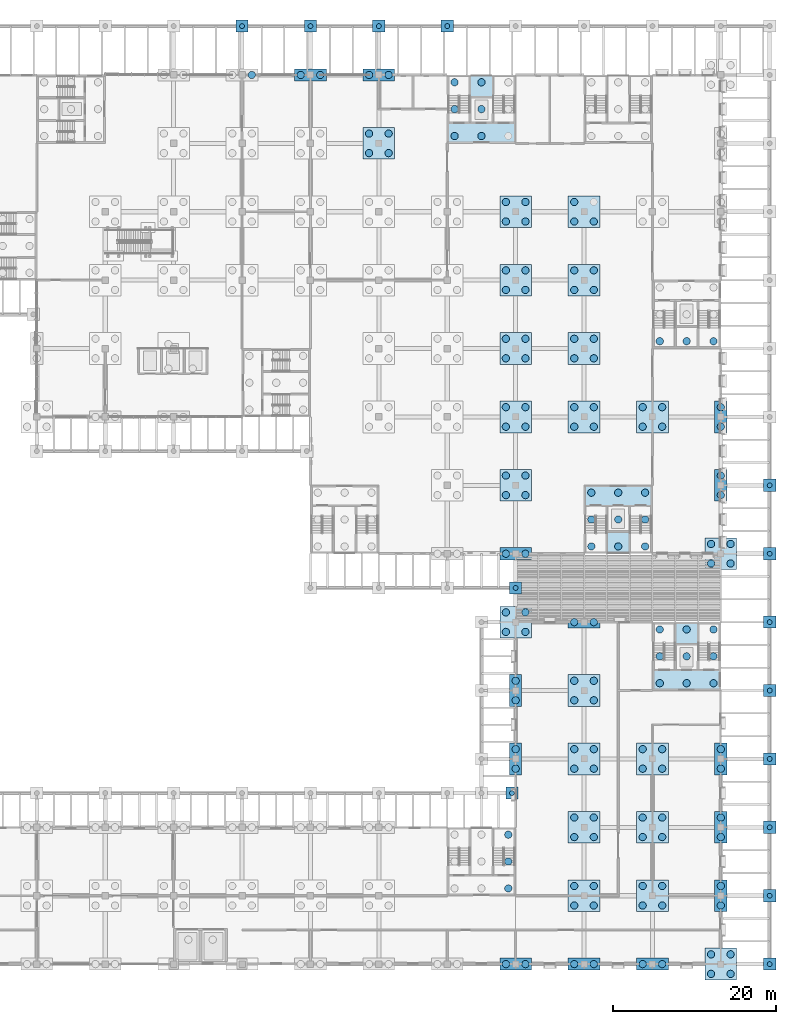
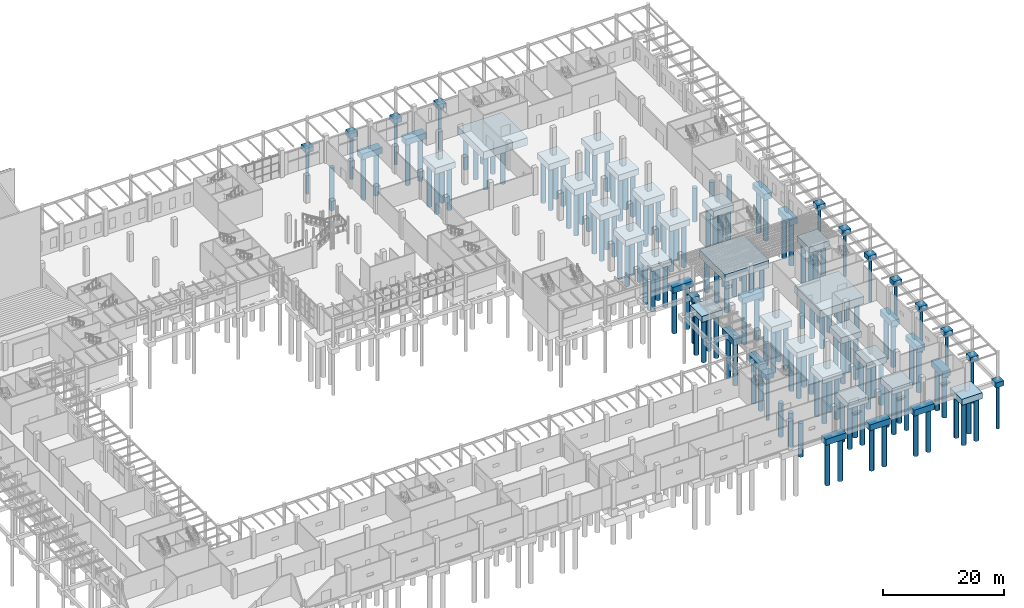
# One storey, part 4 of 82: 156 piles, 52 footings.
"""IFC4 building model written with IfcOpenShell, lengths in metres."""

from ifc_helpers import new_model, si_unit, direction, frame, origin, origin_2d, place, context, subcontext, project, spatial, rectangle, circle, extrude, material, material_profile, profile_set, type_object, element, save


model = new_model("IFC4")

# Units and contexts
model_context = context("Model", 3, precision=1e-05, world=origin(), true_north=direction((0.0, 1.0)))
body_context = subcontext(model_context, "Body", "Model", "MODEL_VIEW")
ifc_project = project(units=[si_unit("LENGTHUNIT", "METRE"), si_unit("AREAUNIT", "SQUARE_METRE"), si_unit("VOLUMEUNIT", "CUBIC_METRE"), si_unit("PLANEANGLEUNIT", "RADIAN"), si_unit("MASSUNIT", "GRAM", prefix="KILO")], contexts=[model_context])

# Site, building, storey
site_placement = place(None, origin())
site = spatial("IfcSite", under=ifc_project, at=site_placement, CompositionType="ELEMENT")
building_placement = place(site_placement, origin())
building = spatial("IfcBuilding", under=site, at=building_placement, Name="Almond Square Museum", CompositionType="ELEMENT")
storey_placement = place(building_placement, origin())
storey = spatial("IfcBuildingStorey", under=building, at=storey_placement, Name="L00", CompositionType="ELEMENT", Elevation=0.0)

# Piles
ifc_material_1 = material(Name="Concrete C35/45", Category="concrete")
ifc_material_profile_1 = material_profile(ifc_material_1, circle(Radius=0.300048828125, at=origin_2d()))
ifc_profile_set_1 = profile_set([ifc_material_profile_1], Name="Concrete C35/45")
pile_type_1 = type_object("IfcPileType", Name="Bored pile D600 C35/45", PredefinedType="BORED", material=ifc_profile_set_1)
for number, where, z_axis, x_axis, name in (
    (1, (163.199951171875, 0.0, -1.199951171875), (0.0, 0.0, -1.0), (1.0, 0.0, 0.0), "Bored pile 018-1"),
    (2, (163.199951171875, 8.39990234375, -1.199951171875), (0.0, 0.0, -1.0), (1.0, 0.0, 0.0), "Bored pile 034-1"),
    (3, (163.199951171875, 16.800048828125, -1.199951171875), (0.0, 0.0, -1.0), (1.0, 0.0, 0.0), "Bored pile 051-1"),
    (4, (131.550048828125, 21.0, -1.199951171875), (0.0, 0.0, -1.0), (1.0, 0.0, 0.0), "Bored pile 068-1"),
    (5, (163.199951171875, 25.199951171875, -1.199951171875), (0.0, 0.0, -1.0), (1.0, 0.0, 0.0), "Bored pile 077-1"),
    (6, (163.199951171875, 33.60009765625, -1.199951171875), (0.0, 0.0, -1.0), (1.0, 0.0, 0.0), "Bored pile 086-1"),
    (7, (163.199951171875, 42.0, -1.199951171875), (0.0, 0.0, -1.0), (1.0, 0.0, 0.0), "Bored pile 096-1"),
    (8, (132.0, 46.199951171875, -1.199951171875), (0.0, 0.0, -1.0), (1.0, 0.0, 0.0), "Bored pile 100-1"),
    (9, (163.199951171875, 50.39990234375, -1.199951171875), (0.0, 0.0, -1.0), (1.0, 0.0, 0.0), "Bored pile 109-1"),
    (10, (163.199951171875, 58.800048828125, -1.199951171875), (0.0, 0.0, -1.0), (1.0, 0.0, 0.0), "Bored pile 120-1"),
    (11, (98.39990234375, 115.199951171875, -1.199951171875), (0.0, 0.0, -1.0), (1.0, 0.0, 0.0), "Bored pile 231-1"),
    (12, (106.800048828125, 115.199951171875, -1.199951171875), (0.0, 0.0, -1.0), (1.0, 0.0, 0.0), "Bored pile 232-1"),
    (13, (115.199951171875, 115.199951171875, -1.199951171875), (0.0, 0.0, -1.0), (1.0, 0.0, 0.0), "Bored pile 233-1"),
    (14, (123.60009765625, 115.199951171875, -1.199951171875), (0.0, 0.0, -1.0), (1.0, 0.0, 0.0), "Bored pile 234-1"),
):
    element("IfcPile", number, at=place(storey_placement, frame(where, z_axis=z_axis, x_axis=x_axis)), inside=storey, type_object=pile_type_1, Name=name, PredefinedType="BORED", context=body_context, shape_type="SweptSolid", body=[
        extrude(circle(Radius=0.300048828125, at=origin_2d()), origin(), (0.0, 0.0, 1.0), 8.800048828125),
    ])
ifc_material_2 = material(Name="Concrete C35/45", Category="concrete")
ifc_material_profile_2 = material_profile(ifc_material_2, circle(Radius=0.449951171875, at=origin_2d()))
ifc_profile_set_2 = profile_set([ifc_material_profile_2], Name="Concrete C35/45")
pile_type_2 = type_object("IfcPileType", Name="Bored pile D900 C35/45", PredefinedType="BORED", material=ifc_profile_set_2)
for number, where, z_axis, x_axis, name in (
    (15, (156.0, -1.199951171875, -1.39990234375), (0.0, 0.0, -1.0), (1.0, 0.0, 0.0), "Bored pile 001-1"),
    (16, (156.0, 1.199951171875, -1.39990234375), (0.0, 0.0, -1.0), (1.0, 0.0, 0.0), "Bored pile 001-2"),
    (17, (158.39990234375, -1.199951171875, -1.39990234375), (0.0, 0.0, -1.0), (1.0, 0.0, 0.0), "Bored pile 001-3"),
    (18, (158.39990234375, 1.199951171875, -1.39990234375), (0.0, 0.0, -1.0), (1.0, 0.0, 0.0), "Bored pile 001-4"),
    (19, (130.800048828125, 0.0, -1.39990234375), (0.0, 0.0, -1.0), (1.0, 0.0, 0.0), "Bored pile 015-1"),
    (20, (133.199951171875, 0.0, -1.39990234375), (0.0, 0.0, -1.0), (1.0, 0.0, 0.0), "Bored pile 015-2"),
    (21, (139.199951171875, 0.0, -1.39990234375), (0.0, 0.0, -1.0), (1.0, 0.0, 0.0), "Bored pile 016-1"),
    (22, (141.60009765625, 0.0, -1.39990234375), (0.0, 0.0, -1.0), (1.0, 0.0, 0.0), "Bored pile 016-2"),
    (23, (147.60009765625, 0.0, -1.39990234375), (0.0, 0.0, -1.0), (1.0, 0.0, 0.0), "Bored pile 017-1"),
    (24, (150.0, 0.0, -1.39990234375), (0.0, 0.0, -1.0), (1.0, 0.0, 0.0), "Bored pile 017-2"),
    (25, (139.199951171875, 7.199951171875, -1.39990234375), (0.0, 0.0, -1.0), (1.0, 0.0, 0.0), "Bored pile 030-1"),
    (26, (139.199951171875, 9.60009765625, -1.39990234375), (0.0, 0.0, -1.0), (1.0, 0.0, 0.0), "Bored pile 030-2"),
    (27, (141.60009765625, 7.199951171875, -1.39990234375), (0.0, 0.0, -1.0), (1.0, 0.0, 0.0), "Bored pile 030-3"),
    (28, (141.60009765625, 9.60009765625, -1.39990234375), (0.0, 0.0, -1.0), (1.0, 0.0, 0.0), "Bored pile 030-4"),
    (29, (147.60009765625, 7.199951171875, -1.39990234375), (0.0, 0.0, -1.0), (1.0, 0.0, 0.0), "Bored pile 031-1"),
    (30, (147.60009765625, 9.60009765625, -1.39990234375), (0.0, 0.0, -1.0), (1.0, 0.0, 0.0), "Bored pile 031-2"),
    (31, (150.0, 7.199951171875, -1.39990234375), (0.0, 0.0, -1.0), (1.0, 0.0, 0.0), "Bored pile 031-3"),
    (32, (150.0, 9.60009765625, -1.39990234375), (0.0, 0.0, -1.0), (1.0, 0.0, 0.0), "Bored pile 031-4"),
    (33, (157.199951171875, 7.199951171875, -1.39990234375), (0.0, 0.0, -1.0), (1.0, 0.0, 0.0), "Bored pile 032-1"),
    (34, (157.199951171875, 9.60009765625, -1.39990234375), (0.0, 0.0, -1.0), (1.0, 0.0, 0.0), "Bored pile 032-2"),
):
    element("IfcPile", number, at=place(storey_placement, frame(where, z_axis=z_axis, x_axis=x_axis)), inside=storey, type_object=pile_type_2, Name=name, PredefinedType="BORED", context=body_context, shape_type="SweptSolid", body=[
        extrude(circle(Radius=0.449951171875, at=origin_2d()), origin(), (0.0, 0.0, 1.0), 8.60009765625),
    ])
for number, where, z_axis, x_axis, name in (
    (35, (131.10009765625, 9.300048828125, -3.199951171875), (0.0, 0.0, -1.0), (1.0, 0.0, 0.0), "Bored pile 036-7"),
    (36, (131.10009765625, 12.60009765625, -3.199951171875), (0.0, 0.0, -1.0), (1.0, 0.0, 0.0), "Bored pile 036-8"),
    (37, (131.10009765625, 15.89990234375, -3.199951171875), (0.0, 0.0, -1.0), (1.0, 0.0, 0.0), "Bored pile 036-9"),
):
    element("IfcPile", number, at=place(storey_placement, frame(where, z_axis=z_axis, x_axis=x_axis)), inside=storey, type_object=pile_type_2, Name=name, PredefinedType="BORED", context=body_context, shape_type="SweptSolid", body=[
        extrude(circle(Radius=0.449951171875, at=origin_2d()), origin(), (0.0, 0.0, 1.0), 6.800048828125),
    ])
for number, where, z_axis, x_axis, name in (
    (38, (139.199951171875, 15.60009765625, -1.39990234375), (0.0, 0.0, -1.0), (1.0, 0.0, 0.0), "Bored pile 038-1"),
    (39, (139.199951171875, 18.0, -1.39990234375), (0.0, 0.0, -1.0), (1.0, 0.0, 0.0), "Bored pile 038-2"),
    (40, (141.60009765625, 15.60009765625, -1.39990234375), (0.0, 0.0, -1.0), (1.0, 0.0, 0.0), "Bored pile 038-3"),
    (41, (141.60009765625, 18.0, -1.39990234375), (0.0, 0.0, -1.0), (1.0, 0.0, 0.0), "Bored pile 038-4"),
    (42, (147.60009765625, 15.60009765625, -1.39990234375), (0.0, 0.0, -1.0), (1.0, 0.0, 0.0), "Bored pile 039-1"),
    (43, (147.60009765625, 18.0, -1.39990234375), (0.0, 0.0, -1.0), (1.0, 0.0, 0.0), "Bored pile 039-2"),
    (44, (150.0, 15.60009765625, -1.39990234375), (0.0, 0.0, -1.0), (1.0, 0.0, 0.0), "Bored pile 039-3"),
    (45, (150.0, 18.0, -1.39990234375), (0.0, 0.0, -1.0), (1.0, 0.0, 0.0), "Bored pile 039-4"),
    (46, (157.199951171875, 15.60009765625, -1.39990234375), (0.0, 0.0, -1.0), (1.0, 0.0, 0.0), "Bored pile 040-1"),
    (47, (157.199951171875, 18.0, -1.39990234375), (0.0, 0.0, -1.0), (1.0, 0.0, 0.0), "Bored pile 040-2"),
    (48, (132.0, 24.0, -1.39990234375), (0.0, 0.0, -1.0), (1.0, 0.0, 0.0), "Bored pile 070-1"),
    (49, (132.0, 26.39990234375, -1.39990234375), (0.0, 0.0, -1.0), (1.0, 0.0, 0.0), "Bored pile 070-2"),
    (50, (139.199951171875, 24.0, -1.39990234375), (0.0, 0.0, -1.0), (1.0, 0.0, 0.0), "Bored pile 071-1"),
    (51, (139.199951171875, 26.39990234375, -1.39990234375), (0.0, 0.0, -1.0), (1.0, 0.0, 0.0), "Bored pile 071-2"),
    (52, (141.60009765625, 24.0, -1.39990234375), (0.0, 0.0, -1.0), (1.0, 0.0, 0.0), "Bored pile 071-3"),
    (53, (141.60009765625, 26.39990234375, -1.39990234375), (0.0, 0.0, -1.0), (1.0, 0.0, 0.0), "Bored pile 071-4"),
    (54, (147.60009765625, 24.0, -1.39990234375), (0.0, 0.0, -1.0), (1.0, 0.0, 0.0), "Bored pile 072-1"),
    (55, (147.60009765625, 26.39990234375, -1.39990234375), (0.0, 0.0, -1.0), (1.0, 0.0, 0.0), "Bored pile 072-2"),
    (56, (150.0, 24.0, -1.39990234375), (0.0, 0.0, -1.0), (1.0, 0.0, 0.0), "Bored pile 072-3"),
    (57, (150.0, 26.39990234375, -1.39990234375), (0.0, 0.0, -1.0), (1.0, 0.0, 0.0), "Bored pile 072-4"),
    (58, (157.199951171875, 24.0, -1.39990234375), (0.0, 0.0, -1.0), (1.0, 0.0, 0.0), "Bored pile 073-1"),
    (59, (157.199951171875, 26.39990234375, -1.39990234375), (0.0, 0.0, -1.0), (1.0, 0.0, 0.0), "Bored pile 073-2"),
    (60, (132.0, 32.39990234375, -1.39990234375), (0.0, 0.0, -1.0), (1.0, 0.0, 0.0), "Bored pile 081-1"),
    (61, (132.0, 34.800048828125, -1.39990234375), (0.0, 0.0, -1.0), (1.0, 0.0, 0.0), "Bored pile 081-2"),
    (62, (139.199951171875, 32.39990234375, -1.39990234375), (0.0, 0.0, -1.0), (1.0, 0.0, 0.0), "Bored pile 082-1"),
    (63, (139.199951171875, 34.800048828125, -1.39990234375), (0.0, 0.0, -1.0), (1.0, 0.0, 0.0), "Bored pile 082-2"),
    (64, (141.60009765625, 32.39990234375, -1.39990234375), (0.0, 0.0, -1.0), (1.0, 0.0, 0.0), "Bored pile 082-3"),
    (65, (141.60009765625, 34.800048828125, -1.39990234375), (0.0, 0.0, -1.0), (1.0, 0.0, 0.0), "Bored pile 082-4"),
):
    element("IfcPile", number, at=place(storey_placement, frame(where, z_axis=z_axis, x_axis=x_axis)), inside=storey, type_object=pile_type_2, Name=name, PredefinedType="BORED", context=body_context, shape_type="SweptSolid", body=[
        extrude(circle(Radius=0.449951171875, at=origin_2d()), origin(), (0.0, 0.0, 1.0), 8.60009765625),
    ])
for number, where, z_axis, x_axis, name in (
    (66, (149.699951171875, 34.5, -3.199951171875), (0.0, 0.0, -1.0), (1.0, 0.0, 0.0), "Bored pile 087-1"),
    (67, (149.699951171875, 37.800048828125, -3.199951171875), (0.0, 0.0, -1.0), (1.0, 0.0, 0.0), "Bored pile 087-2"),
    (68, (149.699951171875, 41.10009765625, -3.199951171875), (0.0, 0.0, -1.0), (1.0, 0.0, 0.0), "Bored pile 087-3"),
    (69, (153.0, 34.5, -3.199951171875), (0.0, 0.0, -1.0), (1.0, 0.0, 0.0), "Bored pile 087-4"),
    (70, (153.0, 37.800048828125, -3.199951171875), (0.0, 0.0, -1.0), (1.0, 0.0, 0.0), "Bored pile 087-5"),
    (71, (153.0, 41.10009765625, -3.199951171875), (0.0, 0.0, -1.0), (1.0, 0.0, 0.0), "Bored pile 087-6"),
    (72, (156.300048828125, 34.5, -3.199951171875), (0.0, 0.0, -1.0), (1.0, 0.0, 0.0), "Bored pile 087-7"),
    (73, (156.300048828125, 37.800048828125, -3.199951171875), (0.0, 0.0, -1.0), (1.0, 0.0, 0.0), "Bored pile 087-8"),
    (74, (156.300048828125, 41.10009765625, -3.199951171875), (0.0, 0.0, -1.0), (1.0, 0.0, 0.0), "Bored pile 087-9"),
):
    element("IfcPile", number, at=place(storey_placement, frame(where, z_axis=z_axis, x_axis=x_axis)), inside=storey, type_object=pile_type_2, Name=name, PredefinedType="BORED", context=body_context, shape_type="SweptSolid", body=[
        extrude(circle(Radius=0.449951171875, at=origin_2d()), origin(), (0.0, 0.0, 1.0), 6.800048828125),
    ])
for number, where, z_axis, x_axis, name in (
    (75, (130.800048828125, 40.800048828125, -1.39990234375), (0.0, 0.0, -1.0), (1.0, 0.0, 0.0), "Bored pile 091-1"),
    (76, (130.800048828125, 43.199951171875, -1.39990234375), (0.0, 0.0, -1.0), (1.0, 0.0, 0.0), "Bored pile 091-2"),
    (77, (133.199951171875, 40.800048828125, -1.39990234375), (0.0, 0.0, -1.0), (1.0, 0.0, 0.0), "Bored pile 091-3"),
    (78, (133.199951171875, 43.199951171875, -1.39990234375), (0.0, 0.0, -1.0), (1.0, 0.0, 0.0), "Bored pile 091-4"),
    (79, (139.199951171875, 42.0, -1.39990234375), (0.0, 0.0, -1.0), (1.0, 0.0, 0.0), "Bored pile 095-1"),
    (80, (141.60009765625, 42.0, -1.39990234375), (0.0, 0.0, -1.0), (1.0, 0.0, 0.0), "Bored pile 095-2"),
    (81, (156.0, 49.199951171875, -1.39990234375), (0.0, 0.0, -1.0), (1.0, 0.0, 0.0), "Bored pile 104-1"),
    (82, (156.0, 51.60009765625, -1.39990234375), (0.0, 0.0, -1.0), (1.0, 0.0, 0.0), "Bored pile 104-2"),
    (83, (158.39990234375, 49.199951171875, -1.39990234375), (0.0, 0.0, -1.0), (1.0, 0.0, 0.0), "Bored pile 104-3"),
    (84, (158.39990234375, 51.60009765625, -1.39990234375), (0.0, 0.0, -1.0), (1.0, 0.0, 0.0), "Bored pile 104-4"),
    (85, (130.800048828125, 50.39990234375, -1.39990234375), (0.0, 0.0, -1.0), (1.0, 0.0, 0.0), "Bored pile 108-1"),
    (86, (133.199951171875, 50.39990234375, -1.39990234375), (0.0, 0.0, -1.0), (1.0, 0.0, 0.0), "Bored pile 108-2"),
):
    element("IfcPile", number, at=place(storey_placement, frame(where, z_axis=z_axis, x_axis=x_axis)), inside=storey, type_object=pile_type_2, Name=name, PredefinedType="BORED", context=body_context, shape_type="SweptSolid", body=[
        extrude(circle(Radius=0.449951171875, at=origin_2d()), origin(), (0.0, 0.0, 1.0), 8.60009765625),
    ])
for number, where, z_axis, x_axis, name in (
    (87, (141.300048828125, 51.300048828125, -3.199951171875), (0.0, 0.0, -1.0), (1.0, 0.0, 0.0), "Bored pile 111-1"),
    (88, (141.300048828125, 54.60009765625, -3.199951171875), (0.0, 0.0, -1.0), (1.0, 0.0, 0.0), "Bored pile 111-2"),
    (89, (141.300048828125, 57.89990234375, -3.199951171875), (0.0, 0.0, -1.0), (1.0, 0.0, 0.0), "Bored pile 111-3"),
    (90, (144.60009765625, 51.300048828125, -3.199951171875), (0.0, 0.0, -1.0), (1.0, 0.0, 0.0), "Bored pile 111-4"),
    (91, (144.60009765625, 54.60009765625, -3.199951171875), (0.0, 0.0, -1.0), (1.0, 0.0, 0.0), "Bored pile 111-5"),
    (92, (144.60009765625, 57.89990234375, -3.199951171875), (0.0, 0.0, -1.0), (1.0, 0.0, 0.0), "Bored pile 111-6"),
    (93, (147.89990234375, 51.300048828125, -3.199951171875), (0.0, 0.0, -1.0), (1.0, 0.0, 0.0), "Bored pile 111-7"),
    (94, (147.89990234375, 54.60009765625, -3.199951171875), (0.0, 0.0, -1.0), (1.0, 0.0, 0.0), "Bored pile 111-8"),
    (95, (147.89990234375, 57.89990234375, -3.199951171875), (0.0, 0.0, -1.0), (1.0, 0.0, 0.0), "Bored pile 111-9"),
):
    element("IfcPile", number, at=place(storey_placement, frame(where, z_axis=z_axis, x_axis=x_axis)), inside=storey, type_object=pile_type_2, Name=name, PredefinedType="BORED", context=body_context, shape_type="SweptSolid", body=[
        extrude(circle(Radius=0.449951171875, at=origin_2d()), origin(), (0.0, 0.0, 1.0), 6.800048828125),
    ])
for number, where, z_axis, x_axis, name in (
    (96, (130.800048828125, 57.60009765625, -1.39990234375), (0.0, 0.0, -1.0), (1.0, 0.0, 0.0), "Bored pile 116-1"),
    (97, (130.800048828125, 60.0, -1.39990234375), (0.0, 0.0, -1.0), (1.0, 0.0, 0.0), "Bored pile 116-2"),
    (98, (133.199951171875, 57.60009765625, -1.39990234375), (0.0, 0.0, -1.0), (1.0, 0.0, 0.0), "Bored pile 116-3"),
    (99, (133.199951171875, 60.0, -1.39990234375), (0.0, 0.0, -1.0), (1.0, 0.0, 0.0), "Bored pile 116-4"),
    (100, (157.199951171875, 57.60009765625, -1.39990234375), (0.0, 0.0, -1.0), (1.0, 0.0, 0.0), "Bored pile 117-1"),
    (101, (157.199951171875, 60.0, -1.39990234375), (0.0, 0.0, -1.0), (1.0, 0.0, 0.0), "Bored pile 117-2"),
    (102, (130.800048828125, 66.0, -1.39990234375), (0.0, 0.0, -1.0), (1.0, 0.0, 0.0), "Bored pile 130-1"),
    (103, (130.800048828125, 68.39990234375, -1.39990234375), (0.0, 0.0, -1.0), (1.0, 0.0, 0.0), "Bored pile 130-2"),
    (104, (133.199951171875, 66.0, -1.39990234375), (0.0, 0.0, -1.0), (1.0, 0.0, 0.0), "Bored pile 130-3"),
    (105, (133.199951171875, 68.39990234375, -1.39990234375), (0.0, 0.0, -1.0), (1.0, 0.0, 0.0), "Bored pile 130-4"),
    (106, (139.199951171875, 66.0, -1.39990234375), (0.0, 0.0, -1.0), (1.0, 0.0, 0.0), "Bored pile 131-1"),
    (107, (139.199951171875, 68.39990234375, -1.39990234375), (0.0, 0.0, -1.0), (1.0, 0.0, 0.0), "Bored pile 131-2"),
    (108, (141.60009765625, 66.0, -1.39990234375), (0.0, 0.0, -1.0), (1.0, 0.0, 0.0), "Bored pile 131-3"),
    (109, (141.60009765625, 68.39990234375, -1.39990234375), (0.0, 0.0, -1.0), (1.0, 0.0, 0.0), "Bored pile 131-4"),
    (110, (147.60009765625, 66.0, -1.39990234375), (0.0, 0.0, -1.0), (1.0, 0.0, 0.0), "Bored pile 132-1"),
    (111, (147.60009765625, 68.39990234375, -1.39990234375), (0.0, 0.0, -1.0), (1.0, 0.0, 0.0), "Bored pile 132-2"),
    (112, (150.0, 66.0, -1.39990234375), (0.0, 0.0, -1.0), (1.0, 0.0, 0.0), "Bored pile 132-3"),
    (113, (150.0, 68.39990234375, -1.39990234375), (0.0, 0.0, -1.0), (1.0, 0.0, 0.0), "Bored pile 132-4"),
    (114, (157.199951171875, 66.0, -1.39990234375), (0.0, 0.0, -1.0), (1.0, 0.0, 0.0), "Bored pile 133-1"),
    (115, (157.199951171875, 68.39990234375, -1.39990234375), (0.0, 0.0, -1.0), (1.0, 0.0, 0.0), "Bored pile 133-2"),
    (116, (130.800048828125, 74.39990234375, -1.39990234375), (0.0, 0.0, -1.0), (1.0, 0.0, 0.0), "Bored pile 149-1"),
    (117, (130.800048828125, 76.800048828125, -1.39990234375), (0.0, 0.0, -1.0), (1.0, 0.0, 0.0), "Bored pile 149-2"),
    (118, (133.199951171875, 74.39990234375, -1.39990234375), (0.0, 0.0, -1.0), (1.0, 0.0, 0.0), "Bored pile 149-3"),
    (119, (133.199951171875, 76.800048828125, -1.39990234375), (0.0, 0.0, -1.0), (1.0, 0.0, 0.0), "Bored pile 149-4"),
    (120, (139.199951171875, 74.39990234375, -1.39990234375), (0.0, 0.0, -1.0), (1.0, 0.0, 0.0), "Bored pile 150-1"),
    (121, (139.199951171875, 76.800048828125, -1.39990234375), (0.0, 0.0, -1.0), (1.0, 0.0, 0.0), "Bored pile 150-2"),
    (122, (141.60009765625, 74.39990234375, -1.39990234375), (0.0, 0.0, -1.0), (1.0, 0.0, 0.0), "Bored pile 150-3"),
    (123, (141.60009765625, 76.800048828125, -1.39990234375), (0.0, 0.0, -1.0), (1.0, 0.0, 0.0), "Bored pile 150-4"),
):
    element("IfcPile", number, at=place(storey_placement, frame(where, z_axis=z_axis, x_axis=x_axis)), inside=storey, type_object=pile_type_2, Name=name, PredefinedType="BORED", context=body_context, shape_type="SweptSolid", body=[
        extrude(circle(Radius=0.449951171875, at=origin_2d()), origin(), (0.0, 0.0, 1.0), 8.60009765625),
    ])
for number, where, z_axis, x_axis, name in (
    (124, (149.699951171875, 76.5, -3.199951171875), (0.0, 0.0, -1.0), (1.0, 0.0, 0.0), "Bored pile 156-1"),
    (125, (153.0, 76.5, -3.199951171875), (0.0, 0.0, -1.0), (1.0, 0.0, 0.0), "Bored pile 156-4"),
    (126, (156.300048828125, 76.5, -3.199951171875), (0.0, 0.0, -1.0), (1.0, 0.0, 0.0), "Bored pile 156-7"),
):
    element("IfcPile", number, at=place(storey_placement, frame(where, z_axis=z_axis, x_axis=x_axis)), inside=storey, type_object=pile_type_2, Name=name, PredefinedType="BORED", context=body_context, shape_type="SweptSolid", body=[
        extrude(circle(Radius=0.449951171875, at=origin_2d()), origin(), (0.0, 0.0, 1.0), 6.800048828125),
    ])
for number, where, z_axis, x_axis, name in (
    (127, (130.800048828125, 82.800048828125, -1.39990234375), (0.0, 0.0, -1.0), (1.0, 0.0, 0.0), "Bored pile 168-1"),
    (128, (130.800048828125, 85.199951171875, -1.39990234375), (0.0, 0.0, -1.0), (1.0, 0.0, 0.0), "Bored pile 168-2"),
    (129, (133.199951171875, 82.800048828125, -1.39990234375), (0.0, 0.0, -1.0), (1.0, 0.0, 0.0), "Bored pile 168-3"),
    (130, (133.199951171875, 85.199951171875, -1.39990234375), (0.0, 0.0, -1.0), (1.0, 0.0, 0.0), "Bored pile 168-4"),
    (131, (139.199951171875, 82.800048828125, -1.39990234375), (0.0, 0.0, -1.0), (1.0, 0.0, 0.0), "Bored pile 169-1"),
    (132, (139.199951171875, 85.199951171875, -1.39990234375), (0.0, 0.0, -1.0), (1.0, 0.0, 0.0), "Bored pile 169-2"),
    (133, (141.60009765625, 82.800048828125, -1.39990234375), (0.0, 0.0, -1.0), (1.0, 0.0, 0.0), "Bored pile 169-3"),
    (134, (141.60009765625, 85.199951171875, -1.39990234375), (0.0, 0.0, -1.0), (1.0, 0.0, 0.0), "Bored pile 169-4"),
    (135, (130.800048828125, 91.199951171875, -1.39990234375), (0.0, 0.0, -1.0), (1.0, 0.0, 0.0), "Bored pile 183-1"),
    (136, (130.800048828125, 93.60009765625, -1.39990234375), (0.0, 0.0, -1.0), (1.0, 0.0, 0.0), "Bored pile 183-2"),
    (137, (133.199951171875, 91.199951171875, -1.39990234375), (0.0, 0.0, -1.0), (1.0, 0.0, 0.0), "Bored pile 183-3"),
    (138, (133.199951171875, 93.60009765625, -1.39990234375), (0.0, 0.0, -1.0), (1.0, 0.0, 0.0), "Bored pile 183-4"),
    (139, (139.199951171875, 91.199951171875, -1.39990234375), (0.0, 0.0, -1.0), (1.0, 0.0, 0.0), "Bored pile 184-1"),
    (140, (139.199951171875, 93.60009765625, -1.39990234375), (0.0, 0.0, -1.0), (1.0, 0.0, 0.0), "Bored pile 184-2"),
    (141, (141.60009765625, 91.199951171875, -1.39990234375), (0.0, 0.0, -1.0), (1.0, 0.0, 0.0), "Bored pile 184-3"),
    (142, (114.0, 99.60009765625, -1.39990234375), (0.0, 0.0, -1.0), (1.0, 0.0, 0.0), "Bored pile 197-1"),
    (143, (114.0, 102.0, -1.39990234375), (0.0, 0.0, -1.0), (1.0, 0.0, 0.0), "Bored pile 197-2"),
    (144, (116.39990234375, 99.60009765625, -1.39990234375), (0.0, 0.0, -1.0), (1.0, 0.0, 0.0), "Bored pile 197-3"),
    (145, (116.39990234375, 102.0, -1.39990234375), (0.0, 0.0, -1.0), (1.0, 0.0, 0.0), "Bored pile 197-4"),
):
    element("IfcPile", number, at=place(storey_placement, frame(where, z_axis=z_axis, x_axis=x_axis)), inside=storey, type_object=pile_type_2, Name=name, PredefinedType="BORED", context=body_context, shape_type="SweptSolid", body=[
        extrude(circle(Radius=0.449951171875, at=origin_2d()), origin(), (0.0, 0.0, 1.0), 8.60009765625),
    ])
for number, where, z_axis, x_axis, name in (
    (146, (124.5, 101.699951171875, -3.199951171875), (0.0, 0.0, -1.0), (1.0, 0.0, 0.0), "Bored pile 202-1"),
    (147, (124.5, 105.0, -3.199951171875), (0.0, 0.0, -1.0), (1.0, 0.0, 0.0), "Bored pile 202-2"),
    (148, (124.5, 108.300048828125, -3.199951171875), (0.0, 0.0, -1.0), (1.0, 0.0, 0.0), "Bored pile 202-3"),
    (149, (127.800048828125, 101.699951171875, -3.199951171875), (0.0, 0.0, -1.0), (1.0, 0.0, 0.0), "Bored pile 202-4"),
    (150, (127.800048828125, 105.0, -3.199951171875), (0.0, 0.0, -1.0), (1.0, 0.0, 0.0), "Bored pile 202-5"),
    (151, (127.800048828125, 108.300048828125, -3.199951171875), (0.0, 0.0, -1.0), (1.0, 0.0, 0.0), "Bored pile 202-6"),
):
    element("IfcPile", number, at=place(storey_placement, frame(where, z_axis=z_axis, x_axis=x_axis)), inside=storey, type_object=pile_type_2, Name=name, PredefinedType="BORED", context=body_context, shape_type="SweptSolid", body=[
        extrude(circle(Radius=0.449951171875, at=origin_2d()), origin(), (0.0, 0.0, 1.0), 6.800048828125),
    ])
for number, where, z_axis, x_axis, name in (
    (152, (99.60009765625, 109.199951171875, -1.39990234375), (0.0, 0.0, -1.0), (1.0, 0.0, 0.0), "Bored pile 215-2"),
    (153, (105.60009765625, 109.199951171875, -1.39990234375), (0.0, 0.0, -1.0), (1.0, 0.0, 0.0), "Bored pile 216-1"),
    (154, (108.0, 109.199951171875, -1.39990234375), (0.0, 0.0, -1.0), (1.0, 0.0, 0.0), "Bored pile 216-2"),
    (155, (114.0, 109.199951171875, -1.39990234375), (0.0, 0.0, -1.0), (1.0, 0.0, 0.0), "Bored pile 217-1"),
    (156, (116.39990234375, 109.199951171875, -1.39990234375), (0.0, 0.0, -1.0), (1.0, 0.0, 0.0), "Bored pile 217-2"),
):
    element("IfcPile", number, at=place(storey_placement, frame(where, z_axis=z_axis, x_axis=x_axis)), inside=storey, type_object=pile_type_2, Name=name, PredefinedType="BORED", context=body_context, shape_type="SweptSolid", body=[
        extrude(circle(Radius=0.449951171875, at=origin_2d()), origin(), (0.0, 0.0, 1.0), 8.60009765625),
    ])

# Footings
ifc_material_3 = material(Name="Concrete C35/45", Category="concrete")
footing_type_1 = type_object("IfcFootingType", Name="Pile cap on four bored piles D900", PredefinedType="PILE_CAP", material=ifc_material_3)
for number, where, z_axis, x_axis, name in (
    (157, (157.199951171875, 0.0, -1.5), (0.0, 0.0, 1.0), (1.0, 0.0, 0.0), "Pile cap PC-01"),
    (158, (140.39990234375, 8.39990234375, -1.5), (0.0, 0.0, 1.0), (1.0, 0.0, 0.0), "Pile cap PC-30"),
    (159, (148.800048828125, 8.39990234375, -1.5), (0.0, 0.0, 1.0), (1.0, 0.0, 0.0), "Pile cap PC-31"),
    (160, (140.39990234375, 16.800048828125, -1.5), (0.0, 0.0, 1.0), (1.0, 0.0, 0.0), "Pile cap PC-38"),
    (161, (148.800048828125, 16.800048828125, -1.5), (0.0, 0.0, 1.0), (1.0, 0.0, 0.0), "Pile cap PC-39"),
    (162, (140.39990234375, 25.199951171875, -1.5), (0.0, 0.0, 1.0), (1.0, 0.0, 0.0), "Pile cap PC-71"),
    (163, (148.800048828125, 25.199951171875, -1.5), (0.0, 0.0, 1.0), (1.0, 0.0, 0.0), "Pile cap PC-72"),
    (164, (140.39990234375, 33.60009765625, -1.5), (0.0, 0.0, 1.0), (1.0, 0.0, 0.0), "Pile cap PC-82"),
    (165, (132.0, 42.0, -1.5), (0.0, 0.0, 1.0), (1.0, 0.0, 0.0), "Pile cap PC-91"),
    (166, (157.199951171875, 50.39990234375, -1.5), (0.0, 0.0, 1.0), (1.0, 0.0, 0.0), "Pile cap PC-104"),
    (167, (132.0, 58.800048828125, -1.5), (0.0, 0.0, 1.0), (1.0, 0.0, 0.0), "Pile cap PC-116"),
    (168, (132.0, 67.199951171875, -1.5), (0.0, 0.0, 1.0), (1.0, 0.0, 0.0), "Pile cap PC-130"),
    (169, (140.39990234375, 67.199951171875, -1.5), (0.0, 0.0, 1.0), (1.0, 0.0, 0.0), "Pile cap PC-131"),
    (170, (148.800048828125, 67.199951171875, -1.5), (0.0, 0.0, 1.0), (1.0, 0.0, 0.0), "Pile cap PC-132"),
    (171, (132.0, 75.60009765625, -1.5), (0.0, 0.0, 1.0), (1.0, 0.0, 0.0), "Pile cap PC-149"),
    (172, (140.39990234375, 75.60009765625, -1.5), (0.0, 0.0, 1.0), (1.0, 0.0, 0.0), "Pile cap PC-150"),
    (173, (132.0, 84.0, -1.5), (0.0, 0.0, 1.0), (1.0, 0.0, 0.0), "Pile cap PC-168"),
    (174, (140.39990234375, 84.0, -1.5), (0.0, 0.0, 1.0), (1.0, 0.0, 0.0), "Pile cap PC-169"),
    (175, (132.0, 92.39990234375, -1.5), (0.0, 0.0, 1.0), (1.0, 0.0, 0.0), "Pile cap PC-183"),
    (176, (140.39990234375, 92.39990234375, -1.5), (0.0, 0.0, 1.0), (1.0, 0.0, 0.0), "Pile cap PC-184"),
    (177, (115.199951171875, 100.800048828125, -1.5), (0.0, 0.0, 1.0), (1.0, 0.0, 0.0), "Pile cap PC-197"),
):
    element("IfcFooting", number, at=place(storey_placement, frame(where, z_axis=z_axis, x_axis=x_axis)), inside=storey, type_object=footing_type_1, Name=name, PredefinedType="PILE_CAP", context=body_context, shape_type="SweptSolid", body=[
        extrude(rectangle(XDim=3.89990234375, YDim=3.89990234375, at=origin_2d()), origin(), (0.0, 0.0, 1.0), 1.199951171875),
    ])
ifc_material_4 = material(Name="Concrete C35/45", Category="concrete")
footing_type_2 = type_object("IfcFootingType", Name="Pile cap on nine bored piles D900 under a stair core", PredefinedType="PILE_CAP", material=ifc_material_4)
for number, where, z_axis, x_axis, name in (
    (178, (153.0, 37.800048828125, -3.300048828125), (0.0, 0.0, 1.0), (1.0, 0.0, 0.0), "Pile cap PC-87"),
    (179, (144.60009765625, 54.60009765625, -3.300048828125), (0.0, 0.0, 1.0), (1.0, 0.0, 0.0), "Pile cap PC-111"),
    (180, (127.800048828125, 105.0, -3.300048828125), (0.0, 0.0, 1.0), (1.0, 0.0, 0.0), "Pile cap PC-202"),
):
    element("IfcFooting", number, at=place(storey_placement, frame(where, z_axis=z_axis, x_axis=x_axis)), inside=storey, type_object=footing_type_2, Name=name, PredefinedType="PILE_CAP", context=body_context, shape_type="SweptSolid", body=[
        extrude(rectangle(XDim=8.39990234375, YDim=8.39990234375, at=origin_2d()), origin(), (0.0, 0.0, 1.0), 1.5),
    ])
ifc_material_5 = material(Name="Concrete C35/45", Category="concrete")
footing_type_3 = type_object("IfcFootingType", Name="Pile cap on one bored pile D600", PredefinedType="PILE_CAP", material=ifc_material_5)
for number, where, z_axis, x_axis, name in (
    (181, (163.199951171875, 0.0, -1.300048828125), (0.0, 0.0, 1.0), (1.0, 0.0, 0.0), "Pile cap PC-18"),
    (182, (163.199951171875, 8.39990234375, -1.300048828125), (0.0, 0.0, 1.0), (1.0, 0.0, 0.0), "Pile cap PC-34"),
    (183, (163.199951171875, 16.800048828125, -1.300048828125), (0.0, 0.0, 1.0), (1.0, 0.0, 0.0), "Pile cap PC-51"),
    (184, (131.550048828125, 21.0, -1.300048828125), (0.0, 0.0, 1.0), (1.0, 0.0, 0.0), "Pile cap PC-68"),
    (185, (163.199951171875, 25.199951171875, -1.300048828125), (0.0, 0.0, 1.0), (1.0, 0.0, 0.0), "Pile cap PC-77"),
    (186, (163.199951171875, 33.60009765625, -1.300048828125), (0.0, 0.0, 1.0), (1.0, 0.0, 0.0), "Pile cap PC-86"),
    (187, (163.199951171875, 42.0, -1.300048828125), (0.0, 0.0, 1.0), (1.0, 0.0, 0.0), "Pile cap PC-96"),
    (188, (132.0, 46.199951171875, -1.300048828125), (0.0, 0.0, 1.0), (1.0, 0.0, 0.0), "Pile cap PC-100"),
    (189, (163.199951171875, 50.39990234375, -1.300048828125), (0.0, 0.0, 1.0), (1.0, 0.0, 0.0), "Pile cap PC-109"),
    (190, (163.199951171875, 58.800048828125, -1.300048828125), (0.0, 0.0, 1.0), (1.0, 0.0, 0.0), "Pile cap PC-120"),
    (191, (98.39990234375, 115.199951171875, -1.300048828125), (0.0, 0.0, 1.0), (1.0, 0.0, 0.0), "Pile cap PC-231"),
    (192, (106.800048828125, 115.199951171875, -1.300048828125), (0.0, 0.0, 1.0), (1.0, 0.0, 0.0), "Pile cap PC-232"),
    (193, (115.199951171875, 115.199951171875, -1.300048828125), (0.0, 0.0, 1.0), (1.0, 0.0, 0.0), "Pile cap PC-233"),
    (194, (123.60009765625, 115.199951171875, -1.300048828125), (0.0, 0.0, 1.0), (1.0, 0.0, 0.0), "Pile cap PC-234"),
):
    element("IfcFooting", number, at=place(storey_placement, frame(where, z_axis=z_axis, x_axis=x_axis)), inside=storey, type_object=footing_type_3, Name=name, PredefinedType="PILE_CAP", context=body_context, shape_type="SweptSolid", body=[
        extrude(rectangle(XDim=1.5, YDim=1.5, at=origin_2d()), origin(), (0.0, 0.0, 1.0), 1.0),
    ])
ifc_material_6 = material(Name="Concrete C35/45", Category="concrete")
footing_type_4 = type_object("IfcFootingType", Name="Pile cap on two bored piles D900", PredefinedType="PILE_CAP", material=ifc_material_6)
for number, where, z_axis, x_axis, name in (
    (195, (132.0, 0.0, -1.5), (0.0, 0.0, 1.0), (1.0, 0.0, 0.0), "Pile cap PC-15"),
    (196, (140.39990234375, 0.0, -1.5), (0.0, 0.0, 1.0), (1.0, 0.0, 0.0), "Pile cap PC-16"),
    (197, (148.800048828125, 0.0, -1.5), (0.0, 0.0, 1.0), (1.0, 0.0, 0.0), "Pile cap PC-17"),
):
    element("IfcFooting", number, at=place(storey_placement, frame(where, z_axis=z_axis, x_axis=x_axis)), inside=storey, type_object=footing_type_4, Name=name, PredefinedType="PILE_CAP", context=body_context, shape_type="SweptSolid", body=[
        extrude(rectangle(XDim=3.89990234375, YDim=1.5, at=origin_2d()), origin(), (0.0, 0.0, 1.0), 1.199951171875),
    ])
for number, where, z_axis, x_axis, name in (
    (198, (157.199951171875, 8.39990234375, -1.5), (0.0, 0.0, 1.0), (1.0, 0.0, 0.0), "Pile cap PC-32"),
    (199, (157.199951171875, 16.800048828125, -1.5), (0.0, 0.0, 1.0), (1.0, 0.0, 0.0), "Pile cap PC-40"),
    (200, (132.0, 25.199951171875, -1.5), (0.0, 0.0, 1.0), (1.0, 0.0, 0.0), "Pile cap PC-70"),
    (201, (157.199951171875, 25.199951171875, -1.5), (0.0, 0.0, 1.0), (1.0, 0.0, 0.0), "Pile cap PC-73"),
    (202, (132.0, 33.60009765625, -1.5), (0.0, 0.0, 1.0), (1.0, 0.0, 0.0), "Pile cap PC-81"),
):
    element("IfcFooting", number, at=place(storey_placement, frame(where, z_axis=z_axis, x_axis=x_axis)), inside=storey, type_object=footing_type_4, Name=name, PredefinedType="PILE_CAP", context=body_context, shape_type="SweptSolid", body=[
        extrude(rectangle(XDim=1.5, YDim=3.89990234375, at=origin_2d()), origin(), (0.0, 0.0, 1.0), 1.199951171875),
    ])
for number, where, z_axis, x_axis, name in (
    (203, (140.39990234375, 42.0, -1.5), (0.0, 0.0, 1.0), (1.0, 0.0, 0.0), "Pile cap PC-95"),
    (204, (132.0, 50.39990234375, -1.5), (0.0, 0.0, 1.0), (1.0, 0.0, 0.0), "Pile cap PC-108"),
):
    element("IfcFooting", number, at=place(storey_placement, frame(where, z_axis=z_axis, x_axis=x_axis)), inside=storey, type_object=footing_type_4, Name=name, PredefinedType="PILE_CAP", context=body_context, shape_type="SweptSolid", body=[
        extrude(rectangle(XDim=3.89990234375, YDim=1.5, at=origin_2d()), origin(), (0.0, 0.0, 1.0), 1.199951171875),
    ])
for number, where, z_axis, x_axis, name in (
    (205, (157.199951171875, 58.800048828125, -1.5), (0.0, 0.0, 1.0), (1.0, 0.0, 0.0), "Pile cap PC-117"),
    (206, (157.199951171875, 67.199951171875, -1.5), (0.0, 0.0, 1.0), (1.0, 0.0, 0.0), "Pile cap PC-133"),
):
    element("IfcFooting", number, at=place(storey_placement, frame(where, z_axis=z_axis, x_axis=x_axis)), inside=storey, type_object=footing_type_4, Name=name, PredefinedType="PILE_CAP", context=body_context, shape_type="SweptSolid", body=[
        extrude(rectangle(XDim=1.5, YDim=3.89990234375, at=origin_2d()), origin(), (0.0, 0.0, 1.0), 1.199951171875),
    ])
for number, where, z_axis, x_axis, name in (
    (207, (106.800048828125, 109.199951171875, -1.5), (0.0, 0.0, 1.0), (1.0, 0.0, 0.0), "Pile cap PC-216"),
    (208, (115.199951171875, 109.199951171875, -1.5), (0.0, 0.0, 1.0), (1.0, 0.0, 0.0), "Pile cap PC-217"),
):
    element("IfcFooting", number, at=place(storey_placement, frame(where, z_axis=z_axis, x_axis=x_axis)), inside=storey, type_object=footing_type_4, Name=name, PredefinedType="PILE_CAP", context=body_context, shape_type="SweptSolid", body=[
        extrude(rectangle(XDim=3.89990234375, YDim=1.5, at=origin_2d()), origin(), (0.0, 0.0, 1.0), 1.199951171875),
    ])

save(model, "model.ifc")
